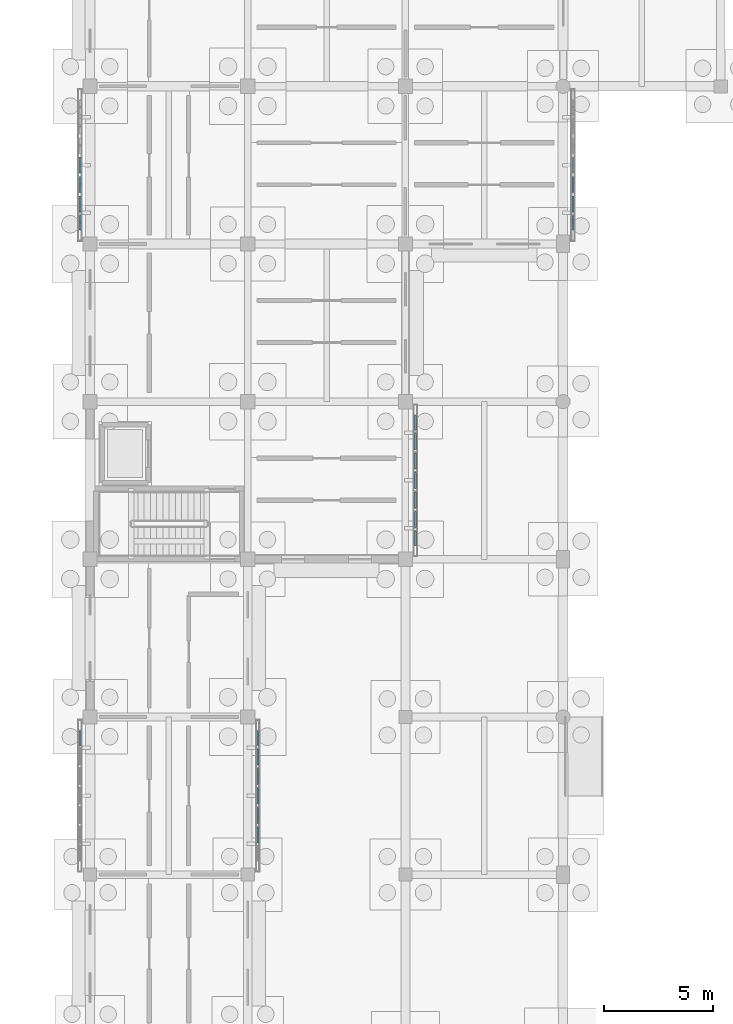
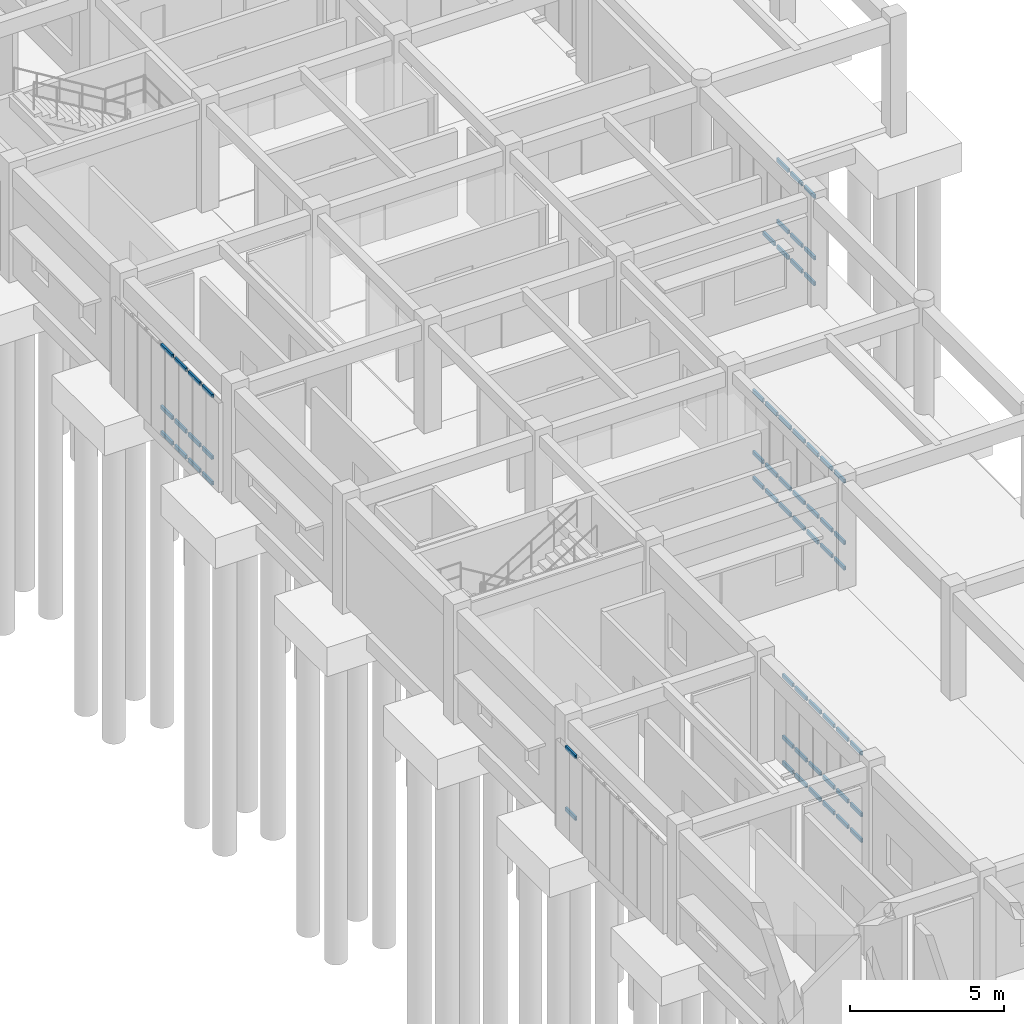
# One storey, part 40 of 111: 63 members, 5 elements without a shape of their own.
"""IFC4 building model written with IfcOpenShell, lengths in metres."""

from ifc_helpers import new_model, si_unit, direction, frame, origin, origin_2d, place, context, subcontext, project, spatial, hollow_rectangle, extrude, material, material_profile, profile_set, type_object, element, aggregate, save


model = new_model("IFC4")

# Units and contexts
model_context = context("Model", 3, precision=1e-05, world=origin(), true_north=direction((0.0, 1.0)))
body_context = subcontext(model_context, "Body", "Model", "MODEL_VIEW")
ifc_project = project(units=[si_unit("LENGTHUNIT", "METRE"), si_unit("AREAUNIT", "SQUARE_METRE"), si_unit("VOLUMEUNIT", "CUBIC_METRE"), si_unit("PLANEANGLEUNIT", "RADIAN"), si_unit("MASSUNIT", "GRAM", prefix="KILO")], contexts=[model_context])

# Site, building, storey
site_placement = place(None, origin())
site = spatial("IfcSite", under=ifc_project, at=site_placement, CompositionType="ELEMENT")
building_placement = place(site_placement, origin())
building = spatial("IfcBuilding", under=site, at=building_placement, Name="Aldebral Square Health Centre", CompositionType="ELEMENT")
storey_placement = place(building_placement, origin())
storey = spatial("IfcBuildingStorey", under=building, at=storey_placement, Name="L00", CompositionType="ELEMENT", Elevation=0.0)

# Curtain wall, members
ifc_material_1 = material(Name="Aluminium and low-E solar glass", Category="aluminium")
curtain_wall_type = type_object("IfcCurtainWallType", Name="CW-FIN-SYS", PredefinedType="USERDEFINED", material=ifc_material_1)
curtain_wall_1_placement = place(storey_placement, origin())
curtain_wall_1 = element("IfcCurtainWall", 1, at=curtain_wall_1_placement, inside=storey, type_object=curtain_wall_type, Name="L00 V6 finned curtain wall L00-V6-00-02-W", ObjectType="SOLAR_CURTAIN_WALL", PredefinedType="USERDEFINED")
ifc_material_2 = material(Name="Anodised aluminium transom", Category="aluminium")
ifc_material_profile = material_profile(ifc_material_2, hollow_rectangle(XDim=0.074951171875, YDim=0.14990234375, WallThickness=0.00390625, at=origin_2d()), Name="CWT 75x150x4")
ifc_profile_set = profile_set([ifc_material_profile], Name="Anodised aluminium transom")
member_type = type_object("IfcMemberType", Name="CWT-STD", PredefinedType="USERDEFINED", material=ifc_profile_set)
member_1_placement = place(storey_placement, frame((-0.4599609375, 20.9599609375, 1.050048828125), z_axis=(0.0, -1.0, 0.0), x_axis=(1.0, 0.0, 0.0)))
member_1 = element("IfcMember", 2, at=member_1_placement, type_object=member_type, Name="CW1 transom 1.2", ObjectType="TRANSOM", PredefinedType="USERDEFINED", context=body_context, shape_type="SweptSolid", body=[
    extrude(hollow_rectangle(XDim=0.074951171875, YDim=0.14990234375, WallThickness=0.00390625, at=origin_2d()), origin(), (0.0, 0.0, 1.0), 0.6513671875),
])
member_2_placement = place(storey_placement, frame((-0.4599609375, 20.9599609375, 3.482421875), z_axis=(0.0, -1.0, 0.0), x_axis=(1.0, 0.0, 0.0)))
member_2 = element("IfcMember", 3, at=member_2_placement, type_object=member_type, Name="CW1 transom 1.3", ObjectType="TRANSOM", PredefinedType="USERDEFINED", context=body_context, shape_type="SweptSolid", body=[
    extrude(hollow_rectangle(XDim=0.074951171875, YDim=0.14990234375, WallThickness=0.00390625, at=origin_2d()), origin(), (0.0, 0.0, 1.0), 0.6513671875),
])
aggregate(curtain_wall_1, [member_1, member_2])

curtain_wall_2_placement = place(storey_placement, origin())
curtain_wall_2 = element("IfcCurtainWall", 4, at=curtain_wall_2_placement, inside=storey, type_object=curtain_wall_type, Name="L00 V6 finned curtain wall L00-V6-00-02-E", ObjectType="SOLAR_CURTAIN_WALL", PredefinedType="USERDEFINED")
member_3_placement = place(storey_placement, frame((7.659912109375, 15.851318359375, 0.03759765625), z_axis=(0.0, 1.0, 0.0), x_axis=(-1.0, 0.0, 0.0)))
member_3 = element("IfcMember", 5, at=member_3_placement, type_object=member_type, Name="CW1 transom 2.1", ObjectType="TRANSOM", PredefinedType="USERDEFINED", context=body_context, shape_type="SweptSolid", body=[
    extrude(hollow_rectangle(XDim=0.074951171875, YDim=0.14990234375, WallThickness=0.00390625, at=origin_2d()), origin(), (0.0, 0.0, 1.0), 0.7314453125),
])
member_4_placement = place(storey_placement, frame((7.659912109375, 15.851318359375, 1.050048828125), z_axis=(0.0, 1.0, 0.0), x_axis=(-1.0, 0.0, 0.0)))
member_4 = element("IfcMember", 6, at=member_4_placement, type_object=member_type, Name="CW1 transom 2.2", ObjectType="TRANSOM", PredefinedType="USERDEFINED", context=body_context, shape_type="SweptSolid", body=[
    extrude(hollow_rectangle(XDim=0.074951171875, YDim=0.14990234375, WallThickness=0.00390625, at=origin_2d()), origin(), (0.0, 0.0, 1.0), 0.7314453125),
])
member_5_placement = place(storey_placement, frame((7.659912109375, 15.851318359375, 3.482421875), z_axis=(0.0, 1.0, 0.0), x_axis=(-1.0, 0.0, 0.0)))
member_5 = element("IfcMember", 7, at=member_5_placement, type_object=member_type, Name="CW1 transom 2.3", ObjectType="TRANSOM", PredefinedType="USERDEFINED", context=body_context, shape_type="SweptSolid", body=[
    extrude(hollow_rectangle(XDim=0.074951171875, YDim=0.14990234375, WallThickness=0.00390625, at=origin_2d()), origin(), (0.0, 0.0, 1.0), 0.7314453125),
])
member_6_placement = place(storey_placement, frame((7.659912109375, 16.742919921875, 0.03759765625), z_axis=(0.0, 1.0, 0.0), x_axis=(-1.0, 0.0, 0.0)))
member_6 = element("IfcMember", 8, at=member_6_placement, type_object=member_type, Name="CW1 transom 3.1", ObjectType="TRANSOM", PredefinedType="USERDEFINED", context=body_context, shape_type="SweptSolid", body=[
    extrude(hollow_rectangle(XDim=0.074951171875, YDim=0.14990234375, WallThickness=0.00390625, at=origin_2d()), origin(), (0.0, 0.0, 1.0), 0.7314453125),
])
member_7_placement = place(storey_placement, frame((7.659912109375, 16.742919921875, 1.050048828125), z_axis=(0.0, 1.0, 0.0), x_axis=(-1.0, 0.0, 0.0)))
member_7 = element("IfcMember", 9, at=member_7_placement, type_object=member_type, Name="CW1 transom 3.2", ObjectType="TRANSOM", PredefinedType="USERDEFINED", context=body_context, shape_type="SweptSolid", body=[
    extrude(hollow_rectangle(XDim=0.074951171875, YDim=0.14990234375, WallThickness=0.00390625, at=origin_2d()), origin(), (0.0, 0.0, 1.0), 0.7314453125),
])
member_8_placement = place(storey_placement, frame((7.659912109375, 16.742919921875, 3.482421875), z_axis=(0.0, 1.0, 0.0), x_axis=(-1.0, 0.0, 0.0)))
member_8 = element("IfcMember", 10, at=member_8_placement, type_object=member_type, Name="CW1 transom 3.3", ObjectType="TRANSOM", PredefinedType="USERDEFINED", context=body_context, shape_type="SweptSolid", body=[
    extrude(hollow_rectangle(XDim=0.074951171875, YDim=0.14990234375, WallThickness=0.00390625, at=origin_2d()), origin(), (0.0, 0.0, 1.0), 0.7314453125),
])
member_9_placement = place(storey_placement, frame((7.659912109375, 17.63427734375, 0.03759765625), z_axis=(0.0, 1.0, 0.0), x_axis=(-1.0, 0.0, 0.0)))
member_9 = element("IfcMember", 11, at=member_9_placement, type_object=member_type, Name="CW1 transom 4.1", ObjectType="TRANSOM", PredefinedType="USERDEFINED", context=body_context, shape_type="SweptSolid", body=[
    extrude(hollow_rectangle(XDim=0.074951171875, YDim=0.14990234375, WallThickness=0.00390625, at=origin_2d()), origin(), (0.0, 0.0, 1.0), 0.7314453125),
])
member_10_placement = place(storey_placement, frame((7.659912109375, 17.63427734375, 1.050048828125), z_axis=(0.0, 1.0, 0.0), x_axis=(-1.0, 0.0, 0.0)))
member_10 = element("IfcMember", 12, at=member_10_placement, type_object=member_type, Name="CW1 transom 4.2", ObjectType="TRANSOM", PredefinedType="USERDEFINED", context=body_context, shape_type="SweptSolid", body=[
    extrude(hollow_rectangle(XDim=0.074951171875, YDim=0.14990234375, WallThickness=0.00390625, at=origin_2d()), origin(), (0.0, 0.0, 1.0), 0.7314453125),
])
member_11_placement = place(storey_placement, frame((7.659912109375, 17.63427734375, 3.482421875), z_axis=(0.0, 1.0, 0.0), x_axis=(-1.0, 0.0, 0.0)))
member_11 = element("IfcMember", 13, at=member_11_placement, type_object=member_type, Name="CW1 transom 4.3", ObjectType="TRANSOM", PredefinedType="USERDEFINED", context=body_context, shape_type="SweptSolid", body=[
    extrude(hollow_rectangle(XDim=0.074951171875, YDim=0.14990234375, WallThickness=0.00390625, at=origin_2d()), origin(), (0.0, 0.0, 1.0), 0.7314453125),
])
member_12_placement = place(storey_placement, frame((7.659912109375, 18.525634765625, 0.03759765625), z_axis=(0.0, 1.0, 0.0), x_axis=(-1.0, 0.0, 0.0)))
member_12 = element("IfcMember", 14, at=member_12_placement, type_object=member_type, Name="CW1 transom 5.1", ObjectType="TRANSOM", PredefinedType="USERDEFINED", context=body_context, shape_type="SweptSolid", body=[
    extrude(hollow_rectangle(XDim=0.074951171875, YDim=0.14990234375, WallThickness=0.00390625, at=origin_2d()), origin(), (0.0, 0.0, 1.0), 0.7314453125),
])
member_13_placement = place(storey_placement, frame((7.659912109375, 18.525634765625, 1.050048828125), z_axis=(0.0, 1.0, 0.0), x_axis=(-1.0, 0.0, 0.0)))
member_13 = element("IfcMember", 15, at=member_13_placement, type_object=member_type, Name="CW1 transom 5.2", ObjectType="TRANSOM", PredefinedType="USERDEFINED", context=body_context, shape_type="SweptSolid", body=[
    extrude(hollow_rectangle(XDim=0.074951171875, YDim=0.14990234375, WallThickness=0.00390625, at=origin_2d()), origin(), (0.0, 0.0, 1.0), 0.7314453125),
])
member_14_placement = place(storey_placement, frame((7.659912109375, 18.525634765625, 3.482421875), z_axis=(0.0, 1.0, 0.0), x_axis=(-1.0, 0.0, 0.0)))
member_14 = element("IfcMember", 16, at=member_14_placement, type_object=member_type, Name="CW1 transom 5.3", ObjectType="TRANSOM", PredefinedType="USERDEFINED", context=body_context, shape_type="SweptSolid", body=[
    extrude(hollow_rectangle(XDim=0.074951171875, YDim=0.14990234375, WallThickness=0.00390625, at=origin_2d()), origin(), (0.0, 0.0, 1.0), 0.7314453125),
])
member_15_placement = place(storey_placement, frame((7.659912109375, 19.417236328125, 0.03759765625), z_axis=(0.0, 1.0, 0.0), x_axis=(-1.0, 0.0, 0.0)))
member_15 = element("IfcMember", 17, at=member_15_placement, type_object=member_type, Name="CW1 transom 6.1", ObjectType="TRANSOM", PredefinedType="USERDEFINED", context=body_context, shape_type="SweptSolid", body=[
    extrude(hollow_rectangle(XDim=0.074951171875, YDim=0.14990234375, WallThickness=0.00390625, at=origin_2d()), origin(), (0.0, 0.0, 1.0), 0.7314453125),
])
member_16_placement = place(storey_placement, frame((7.659912109375, 19.417236328125, 1.050048828125), z_axis=(0.0, 1.0, 0.0), x_axis=(-1.0, 0.0, 0.0)))
member_16 = element("IfcMember", 18, at=member_16_placement, type_object=member_type, Name="CW1 transom 6.2", ObjectType="TRANSOM", PredefinedType="USERDEFINED", context=body_context, shape_type="SweptSolid", body=[
    extrude(hollow_rectangle(XDim=0.074951171875, YDim=0.14990234375, WallThickness=0.00390625, at=origin_2d()), origin(), (0.0, 0.0, 1.0), 0.7314453125),
])
member_17_placement = place(storey_placement, frame((7.659912109375, 19.417236328125, 3.482421875), z_axis=(0.0, 1.0, 0.0), x_axis=(-1.0, 0.0, 0.0)))
member_17 = element("IfcMember", 19, at=member_17_placement, type_object=member_type, Name="CW1 transom 6.3", ObjectType="TRANSOM", PredefinedType="USERDEFINED", context=body_context, shape_type="SweptSolid", body=[
    extrude(hollow_rectangle(XDim=0.074951171875, YDim=0.14990234375, WallThickness=0.00390625, at=origin_2d()), origin(), (0.0, 0.0, 1.0), 0.7314453125),
])
member_18_placement = place(storey_placement, frame((7.659912109375, 20.30859375, 0.03759765625), z_axis=(0.0, 1.0, 0.0), x_axis=(-1.0, 0.0, 0.0)))
member_18 = element("IfcMember", 20, at=member_18_placement, type_object=member_type, Name="CW1 transom 7.1", ObjectType="TRANSOM", PredefinedType="USERDEFINED", context=body_context, shape_type="SweptSolid", body=[
    extrude(hollow_rectangle(XDim=0.074951171875, YDim=0.14990234375, WallThickness=0.00390625, at=origin_2d()), origin(), (0.0, 0.0, 1.0), 0.6513671875),
])
member_19_placement = place(storey_placement, frame((7.659912109375, 20.30859375, 1.050048828125), z_axis=(0.0, 1.0, 0.0), x_axis=(-1.0, 0.0, 0.0)))
member_19 = element("IfcMember", 21, at=member_19_placement, type_object=member_type, Name="CW1 transom 7.2", ObjectType="TRANSOM", PredefinedType="USERDEFINED", context=body_context, shape_type="SweptSolid", body=[
    extrude(hollow_rectangle(XDim=0.074951171875, YDim=0.14990234375, WallThickness=0.00390625, at=origin_2d()), origin(), (0.0, 0.0, 1.0), 0.6513671875),
])
member_20_placement = place(storey_placement, frame((7.659912109375, 20.30859375, 3.482421875), z_axis=(0.0, 1.0, 0.0), x_axis=(-1.0, 0.0, 0.0)))
member_20 = element("IfcMember", 22, at=member_20_placement, type_object=member_type, Name="CW1 transom 7.3", ObjectType="TRANSOM", PredefinedType="USERDEFINED", context=body_context, shape_type="SweptSolid", body=[
    extrude(hollow_rectangle(XDim=0.074951171875, YDim=0.14990234375, WallThickness=0.00390625, at=origin_2d()), origin(), (0.0, 0.0, 1.0), 0.6513671875),
])
aggregate(curtain_wall_2, [member_3, member_4, member_5, member_6, member_7, member_8, member_9, member_10, member_11, member_12, member_13, member_14, member_15, member_16, member_17, member_18, member_19, member_20])

curtain_wall_3_placement = place(storey_placement, origin())
curtain_wall_3 = element("IfcCurtainWall", 23, at=curtain_wall_3_placement, inside=storey, type_object=curtain_wall_type, Name="L00 V6 finned curtain wall L00-V6-00-06-W", ObjectType="SOLAR_CURTAIN_WALL", PredefinedType="USERDEFINED")
member_21_placement = place(storey_placement, frame((-0.4599609375, 47.165771484375, 0.03759765625), z_axis=(0.0, -1.0, 0.0), x_axis=(1.0, 0.0, 0.0)))
member_21 = element("IfcMember", 24, at=member_21_placement, type_object=member_type, Name="CW1 transom 4.1", ObjectType="TRANSOM", PredefinedType="USERDEFINED", context=body_context, shape_type="SweptSolid", body=[
    extrude(hollow_rectangle(XDim=0.074951171875, YDim=0.14990234375, WallThickness=0.00390625, at=origin_2d()), origin(), (0.0, 0.0, 1.0), 0.7314453125),
])
member_22_placement = place(storey_placement, frame((-0.4599609375, 47.165771484375, 1.050048828125), z_axis=(0.0, -1.0, 0.0), x_axis=(1.0, 0.0, 0.0)))
member_22 = element("IfcMember", 25, at=member_22_placement, type_object=member_type, Name="CW1 transom 4.2", ObjectType="TRANSOM", PredefinedType="USERDEFINED", context=body_context, shape_type="SweptSolid", body=[
    extrude(hollow_rectangle(XDim=0.074951171875, YDim=0.14990234375, WallThickness=0.00390625, at=origin_2d()), origin(), (0.0, 0.0, 1.0), 0.7314453125),
])
member_23_placement = place(storey_placement, frame((-0.4599609375, 47.165771484375, 3.482421875), z_axis=(0.0, -1.0, 0.0), x_axis=(1.0, 0.0, 0.0)))
member_23 = element("IfcMember", 26, at=member_23_placement, type_object=member_type, Name="CW1 transom 4.3", ObjectType="TRANSOM", PredefinedType="USERDEFINED", context=body_context, shape_type="SweptSolid", body=[
    extrude(hollow_rectangle(XDim=0.074951171875, YDim=0.14990234375, WallThickness=0.00390625, at=origin_2d()), origin(), (0.0, 0.0, 1.0), 0.7314453125),
])
member_24_placement = place(storey_placement, frame((-0.4599609375, 46.274169921875, 0.03759765625), z_axis=(0.0, -1.0, 0.0), x_axis=(1.0, 0.0, 0.0)))
member_24 = element("IfcMember", 27, at=member_24_placement, type_object=member_type, Name="CW1 transom 5.1", ObjectType="TRANSOM", PredefinedType="USERDEFINED", context=body_context, shape_type="SweptSolid", body=[
    extrude(hollow_rectangle(XDim=0.074951171875, YDim=0.14990234375, WallThickness=0.00390625, at=origin_2d()), origin(), (0.0, 0.0, 1.0), 0.731201171875),
])
member_25_placement = place(storey_placement, frame((-0.4599609375, 46.274169921875, 1.050048828125), z_axis=(0.0, -1.0, 0.0), x_axis=(1.0, 0.0, 0.0)))
member_25 = element("IfcMember", 28, at=member_25_placement, type_object=member_type, Name="CW1 transom 5.2", ObjectType="TRANSOM", PredefinedType="USERDEFINED", context=body_context, shape_type="SweptSolid", body=[
    extrude(hollow_rectangle(XDim=0.074951171875, YDim=0.14990234375, WallThickness=0.00390625, at=origin_2d()), origin(), (0.0, 0.0, 1.0), 0.731201171875),
])
member_26_placement = place(storey_placement, frame((-0.4599609375, 46.274169921875, 3.482421875), z_axis=(0.0, -1.0, 0.0), x_axis=(1.0, 0.0, 0.0)))
member_26 = element("IfcMember", 29, at=member_26_placement, type_object=member_type, Name="CW1 transom 5.3", ObjectType="TRANSOM", PredefinedType="USERDEFINED", context=body_context, shape_type="SweptSolid", body=[
    extrude(hollow_rectangle(XDim=0.074951171875, YDim=0.14990234375, WallThickness=0.00390625, at=origin_2d()), origin(), (0.0, 0.0, 1.0), 0.731201171875),
])
member_27_placement = place(storey_placement, frame((-0.4599609375, 45.3828125, 0.03759765625), z_axis=(0.0, -1.0, 0.0), x_axis=(1.0, 0.0, 0.0)))
member_27 = element("IfcMember", 30, at=member_27_placement, type_object=member_type, Name="CW1 transom 6.1", ObjectType="TRANSOM", PredefinedType="USERDEFINED", context=body_context, shape_type="SweptSolid", body=[
    extrude(hollow_rectangle(XDim=0.074951171875, YDim=0.14990234375, WallThickness=0.00390625, at=origin_2d()), origin(), (0.0, 0.0, 1.0), 0.7314453125),
])
member_28_placement = place(storey_placement, frame((-0.4599609375, 45.3828125, 1.050048828125), z_axis=(0.0, -1.0, 0.0), x_axis=(1.0, 0.0, 0.0)))
member_28 = element("IfcMember", 31, at=member_28_placement, type_object=member_type, Name="CW1 transom 6.2", ObjectType="TRANSOM", PredefinedType="USERDEFINED", context=body_context, shape_type="SweptSolid", body=[
    extrude(hollow_rectangle(XDim=0.074951171875, YDim=0.14990234375, WallThickness=0.00390625, at=origin_2d()), origin(), (0.0, 0.0, 1.0), 0.7314453125),
])
member_29_placement = place(storey_placement, frame((-0.4599609375, 45.3828125, 3.482421875), z_axis=(0.0, -1.0, 0.0), x_axis=(1.0, 0.0, 0.0)))
member_29 = element("IfcMember", 32, at=member_29_placement, type_object=member_type, Name="CW1 transom 6.3", ObjectType="TRANSOM", PredefinedType="USERDEFINED", context=body_context, shape_type="SweptSolid", body=[
    extrude(hollow_rectangle(XDim=0.074951171875, YDim=0.14990234375, WallThickness=0.00390625, at=origin_2d()), origin(), (0.0, 0.0, 1.0), 0.7314453125),
])
member_30_placement = place(storey_placement, frame((-0.4599609375, 44.491455078125, 0.03759765625), z_axis=(0.0, -1.0, 0.0), x_axis=(1.0, 0.0, 0.0)))
member_30 = element("IfcMember", 33, at=member_30_placement, type_object=member_type, Name="CW1 transom 7.1", ObjectType="TRANSOM", PredefinedType="USERDEFINED", context=body_context, shape_type="SweptSolid", body=[
    extrude(hollow_rectangle(XDim=0.074951171875, YDim=0.14990234375, WallThickness=0.00390625, at=origin_2d()), origin(), (0.0, 0.0, 1.0), 0.6513671875),
])
member_31_placement = place(storey_placement, frame((-0.4599609375, 44.491455078125, 1.050048828125), z_axis=(0.0, -1.0, 0.0), x_axis=(1.0, 0.0, 0.0)))
member_31 = element("IfcMember", 34, at=member_31_placement, type_object=member_type, Name="CW1 transom 7.2", ObjectType="TRANSOM", PredefinedType="USERDEFINED", context=body_context, shape_type="SweptSolid", body=[
    extrude(hollow_rectangle(XDim=0.074951171875, YDim=0.14990234375, WallThickness=0.00390625, at=origin_2d()), origin(), (0.0, 0.0, 1.0), 0.6513671875),
])
member_32_placement = place(storey_placement, frame((-0.4599609375, 44.491455078125, 3.482421875), z_axis=(0.0, -1.0, 0.0), x_axis=(1.0, 0.0, 0.0)))
member_32 = element("IfcMember", 35, at=member_32_placement, type_object=member_type, Name="CW1 transom 7.3", ObjectType="TRANSOM", PredefinedType="USERDEFINED", context=body_context, shape_type="SweptSolid", body=[
    extrude(hollow_rectangle(XDim=0.074951171875, YDim=0.14990234375, WallThickness=0.00390625, at=origin_2d()), origin(), (0.0, 0.0, 1.0), 0.6513671875),
])
aggregate(curtain_wall_3, [member_21, member_22, member_23, member_24, member_25, member_26, member_27, member_28, member_29, member_30, member_31, member_32])

curtain_wall_4_placement = place(storey_placement, origin())
curtain_wall_4 = element("IfcCurtainWall", 36, at=curtain_wall_4_placement, inside=storey, type_object=curtain_wall_type, Name="L00 V6 finned curtain wall L00-V6-01-04-E", ObjectType="SOLAR_CURTAIN_WALL", PredefinedType="USERDEFINED")
member_33_placement = place(storey_placement, frame((14.860107421875, 29.43994140625, 0.03759765625), z_axis=(0.0, 1.0, 0.0), x_axis=(-1.0, 0.0, 0.0)))
member_33 = element("IfcMember", 37, at=member_33_placement, type_object=member_type, Name="CW1 transom 1.1", ObjectType="TRANSOM", PredefinedType="USERDEFINED", context=body_context, shape_type="SweptSolid", body=[
    extrude(hollow_rectangle(XDim=0.074951171875, YDim=0.14990234375, WallThickness=0.00390625, at=origin_2d()), origin(), (0.0, 0.0, 1.0), 0.6513671875),
])
member_34_placement = place(storey_placement, frame((14.860107421875, 29.43994140625, 1.050048828125), z_axis=(0.0, 1.0, 0.0), x_axis=(-1.0, 0.0, 0.0)))
member_34 = element("IfcMember", 38, at=member_34_placement, type_object=member_type, Name="CW1 transom 1.2", ObjectType="TRANSOM", PredefinedType="USERDEFINED", context=body_context, shape_type="SweptSolid", body=[
    extrude(hollow_rectangle(XDim=0.074951171875, YDim=0.14990234375, WallThickness=0.00390625, at=origin_2d()), origin(), (0.0, 0.0, 1.0), 0.6513671875),
])
member_35_placement = place(storey_placement, frame((14.860107421875, 29.43994140625, 3.482421875), z_axis=(0.0, 1.0, 0.0), x_axis=(-1.0, 0.0, 0.0)))
member_35 = element("IfcMember", 39, at=member_35_placement, type_object=member_type, Name="CW1 transom 1.3", ObjectType="TRANSOM", PredefinedType="USERDEFINED", context=body_context, shape_type="SweptSolid", body=[
    extrude(hollow_rectangle(XDim=0.074951171875, YDim=0.14990234375, WallThickness=0.00390625, at=origin_2d()), origin(), (0.0, 0.0, 1.0), 0.6513671875),
])
member_36_placement = place(storey_placement, frame((14.860107421875, 30.25146484375, 0.03759765625), z_axis=(0.0, 1.0, 0.0), x_axis=(-1.0, 0.0, 0.0)))
member_36 = element("IfcMember", 40, at=member_36_placement, type_object=member_type, Name="CW1 transom 2.1", ObjectType="TRANSOM", PredefinedType="USERDEFINED", context=body_context, shape_type="SweptSolid", body=[
    extrude(hollow_rectangle(XDim=0.074951171875, YDim=0.14990234375, WallThickness=0.00390625, at=origin_2d()), origin(), (0.0, 0.0, 1.0), 0.7314453125),
])
member_37_placement = place(storey_placement, frame((14.860107421875, 30.25146484375, 1.050048828125), z_axis=(0.0, 1.0, 0.0), x_axis=(-1.0, 0.0, 0.0)))
member_37 = element("IfcMember", 41, at=member_37_placement, type_object=member_type, Name="CW1 transom 2.2", ObjectType="TRANSOM", PredefinedType="USERDEFINED", context=body_context, shape_type="SweptSolid", body=[
    extrude(hollow_rectangle(XDim=0.074951171875, YDim=0.14990234375, WallThickness=0.00390625, at=origin_2d()), origin(), (0.0, 0.0, 1.0), 0.7314453125),
])
member_38_placement = place(storey_placement, frame((14.860107421875, 30.25146484375, 3.482421875), z_axis=(0.0, 1.0, 0.0), x_axis=(-1.0, 0.0, 0.0)))
member_38 = element("IfcMember", 42, at=member_38_placement, type_object=member_type, Name="CW1 transom 2.3", ObjectType="TRANSOM", PredefinedType="USERDEFINED", context=body_context, shape_type="SweptSolid", body=[
    extrude(hollow_rectangle(XDim=0.074951171875, YDim=0.14990234375, WallThickness=0.00390625, at=origin_2d()), origin(), (0.0, 0.0, 1.0), 0.7314453125),
])
member_39_placement = place(storey_placement, frame((14.860107421875, 31.142822265625, 0.03759765625), z_axis=(0.0, 1.0, 0.0), x_axis=(-1.0, 0.0, 0.0)))
member_39 = element("IfcMember", 43, at=member_39_placement, type_object=member_type, Name="CW1 transom 3.1", ObjectType="TRANSOM", PredefinedType="USERDEFINED", context=body_context, shape_type="SweptSolid", body=[
    extrude(hollow_rectangle(XDim=0.074951171875, YDim=0.14990234375, WallThickness=0.00390625, at=origin_2d()), origin(), (0.0, 0.0, 1.0), 0.7314453125),
])
member_40_placement = place(storey_placement, frame((14.860107421875, 31.142822265625, 1.050048828125), z_axis=(0.0, 1.0, 0.0), x_axis=(-1.0, 0.0, 0.0)))
member_40 = element("IfcMember", 44, at=member_40_placement, type_object=member_type, Name="CW1 transom 3.2", ObjectType="TRANSOM", PredefinedType="USERDEFINED", context=body_context, shape_type="SweptSolid", body=[
    extrude(hollow_rectangle(XDim=0.074951171875, YDim=0.14990234375, WallThickness=0.00390625, at=origin_2d()), origin(), (0.0, 0.0, 1.0), 0.7314453125),
])
member_41_placement = place(storey_placement, frame((14.860107421875, 31.142822265625, 3.482421875), z_axis=(0.0, 1.0, 0.0), x_axis=(-1.0, 0.0, 0.0)))
member_41 = element("IfcMember", 45, at=member_41_placement, type_object=member_type, Name="CW1 transom 3.3", ObjectType="TRANSOM", PredefinedType="USERDEFINED", context=body_context, shape_type="SweptSolid", body=[
    extrude(hollow_rectangle(XDim=0.074951171875, YDim=0.14990234375, WallThickness=0.00390625, at=origin_2d()), origin(), (0.0, 0.0, 1.0), 0.7314453125),
])
member_42_placement = place(storey_placement, frame((14.860107421875, 32.0341796875, 0.03759765625), z_axis=(0.0, 1.0, 0.0), x_axis=(-1.0, 0.0, 0.0)))
member_42 = element("IfcMember", 46, at=member_42_placement, type_object=member_type, Name="CW1 transom 4.1", ObjectType="TRANSOM", PredefinedType="USERDEFINED", context=body_context, shape_type="SweptSolid", body=[
    extrude(hollow_rectangle(XDim=0.074951171875, YDim=0.14990234375, WallThickness=0.00390625, at=origin_2d()), origin(), (0.0, 0.0, 1.0), 0.7314453125),
])
member_43_placement = place(storey_placement, frame((14.860107421875, 32.0341796875, 1.050048828125), z_axis=(0.0, 1.0, 0.0), x_axis=(-1.0, 0.0, 0.0)))
member_43 = element("IfcMember", 47, at=member_43_placement, type_object=member_type, Name="CW1 transom 4.2", ObjectType="TRANSOM", PredefinedType="USERDEFINED", context=body_context, shape_type="SweptSolid", body=[
    extrude(hollow_rectangle(XDim=0.074951171875, YDim=0.14990234375, WallThickness=0.00390625, at=origin_2d()), origin(), (0.0, 0.0, 1.0), 0.7314453125),
])
member_44_placement = place(storey_placement, frame((14.860107421875, 32.0341796875, 3.482421875), z_axis=(0.0, 1.0, 0.0), x_axis=(-1.0, 0.0, 0.0)))
member_44 = element("IfcMember", 48, at=member_44_placement, type_object=member_type, Name="CW1 transom 4.3", ObjectType="TRANSOM", PredefinedType="USERDEFINED", context=body_context, shape_type="SweptSolid", body=[
    extrude(hollow_rectangle(XDim=0.074951171875, YDim=0.14990234375, WallThickness=0.00390625, at=origin_2d()), origin(), (0.0, 0.0, 1.0), 0.7314453125),
])
member_45_placement = place(storey_placement, frame((14.860107421875, 32.92578125, 0.03759765625), z_axis=(0.0, 1.0, 0.0), x_axis=(-1.0, 0.0, 0.0)))
member_45 = element("IfcMember", 49, at=member_45_placement, type_object=member_type, Name="CW1 transom 5.1", ObjectType="TRANSOM", PredefinedType="USERDEFINED", context=body_context, shape_type="SweptSolid", body=[
    extrude(hollow_rectangle(XDim=0.074951171875, YDim=0.14990234375, WallThickness=0.00390625, at=origin_2d()), origin(), (0.0, 0.0, 1.0), 0.7314453125),
])
member_46_placement = place(storey_placement, frame((14.860107421875, 32.92578125, 1.050048828125), z_axis=(0.0, 1.0, 0.0), x_axis=(-1.0, 0.0, 0.0)))
member_46 = element("IfcMember", 50, at=member_46_placement, type_object=member_type, Name="CW1 transom 5.2", ObjectType="TRANSOM", PredefinedType="USERDEFINED", context=body_context, shape_type="SweptSolid", body=[
    extrude(hollow_rectangle(XDim=0.074951171875, YDim=0.14990234375, WallThickness=0.00390625, at=origin_2d()), origin(), (0.0, 0.0, 1.0), 0.7314453125),
])
member_47_placement = place(storey_placement, frame((14.860107421875, 32.92578125, 3.482421875), z_axis=(0.0, 1.0, 0.0), x_axis=(-1.0, 0.0, 0.0)))
member_47 = element("IfcMember", 51, at=member_47_placement, type_object=member_type, Name="CW1 transom 5.3", ObjectType="TRANSOM", PredefinedType="USERDEFINED", context=body_context, shape_type="SweptSolid", body=[
    extrude(hollow_rectangle(XDim=0.074951171875, YDim=0.14990234375, WallThickness=0.00390625, at=origin_2d()), origin(), (0.0, 0.0, 1.0), 0.7314453125),
])
member_48_placement = place(storey_placement, frame((14.860107421875, 33.817138671875, 0.03759765625), z_axis=(0.0, 1.0, 0.0), x_axis=(-1.0, 0.0, 0.0)))
member_48 = element("IfcMember", 52, at=member_48_placement, type_object=member_type, Name="CW1 transom 6.1", ObjectType="TRANSOM", PredefinedType="USERDEFINED", context=body_context, shape_type="SweptSolid", body=[
    extrude(hollow_rectangle(XDim=0.074951171875, YDim=0.14990234375, WallThickness=0.00390625, at=origin_2d()), origin(), (0.0, 0.0, 1.0), 0.7314453125),
])
member_49_placement = place(storey_placement, frame((14.860107421875, 33.817138671875, 1.050048828125), z_axis=(0.0, 1.0, 0.0), x_axis=(-1.0, 0.0, 0.0)))
member_49 = element("IfcMember", 53, at=member_49_placement, type_object=member_type, Name="CW1 transom 6.2", ObjectType="TRANSOM", PredefinedType="USERDEFINED", context=body_context, shape_type="SweptSolid", body=[
    extrude(hollow_rectangle(XDim=0.074951171875, YDim=0.14990234375, WallThickness=0.00390625, at=origin_2d()), origin(), (0.0, 0.0, 1.0), 0.7314453125),
])
member_50_placement = place(storey_placement, frame((14.860107421875, 33.817138671875, 3.482421875), z_axis=(0.0, 1.0, 0.0), x_axis=(-1.0, 0.0, 0.0)))
member_50 = element("IfcMember", 54, at=member_50_placement, type_object=member_type, Name="CW1 transom 6.3", ObjectType="TRANSOM", PredefinedType="USERDEFINED", context=body_context, shape_type="SweptSolid", body=[
    extrude(hollow_rectangle(XDim=0.074951171875, YDim=0.14990234375, WallThickness=0.00390625, at=origin_2d()), origin(), (0.0, 0.0, 1.0), 0.7314453125),
])
member_51_placement = place(storey_placement, frame((14.860107421875, 34.70849609375, 0.03759765625), z_axis=(0.0, 1.0, 0.0), x_axis=(-1.0, 0.0, 0.0)))
member_51 = element("IfcMember", 55, at=member_51_placement, type_object=member_type, Name="CW1 transom 7.1", ObjectType="TRANSOM", PredefinedType="USERDEFINED", context=body_context, shape_type="SweptSolid", body=[
    extrude(hollow_rectangle(XDim=0.074951171875, YDim=0.14990234375, WallThickness=0.00390625, at=origin_2d()), origin(), (0.0, 0.0, 1.0), 0.651611328125),
])
member_52_placement = place(storey_placement, frame((14.860107421875, 34.70849609375, 1.050048828125), z_axis=(0.0, 1.0, 0.0), x_axis=(-1.0, 0.0, 0.0)))
member_52 = element("IfcMember", 56, at=member_52_placement, type_object=member_type, Name="CW1 transom 7.2", ObjectType="TRANSOM", PredefinedType="USERDEFINED", context=body_context, shape_type="SweptSolid", body=[
    extrude(hollow_rectangle(XDim=0.074951171875, YDim=0.14990234375, WallThickness=0.00390625, at=origin_2d()), origin(), (0.0, 0.0, 1.0), 0.651611328125),
])
member_53_placement = place(storey_placement, frame((14.860107421875, 34.70849609375, 3.482421875), z_axis=(0.0, 1.0, 0.0), x_axis=(-1.0, 0.0, 0.0)))
member_53 = element("IfcMember", 57, at=member_53_placement, type_object=member_type, Name="CW1 transom 7.3", ObjectType="TRANSOM", PredefinedType="USERDEFINED", context=body_context, shape_type="SweptSolid", body=[
    extrude(hollow_rectangle(XDim=0.074951171875, YDim=0.14990234375, WallThickness=0.00390625, at=origin_2d()), origin(), (0.0, 0.0, 1.0), 0.651611328125),
])
aggregate(curtain_wall_4, [member_33, member_34, member_35, member_36, member_37, member_38, member_39, member_40, member_41, member_42, member_43, member_44, member_45, member_46, member_47, member_48, member_49, member_50, member_51, member_52, member_53])

curtain_wall_5_placement = place(storey_placement, origin())
curtain_wall_5 = element("IfcCurtainWall", 58, at=curtain_wall_5_placement, inside=storey, type_object=curtain_wall_type, Name="L00 V6 finned curtain wall L00-V6-02-06-E", ObjectType="SOLAR_CURTAIN_WALL", PredefinedType="USERDEFINED")
member_54_placement = place(storey_placement, frame((22.06005859375, 43.840087890625, 0.03759765625), z_axis=(0.0, 1.0, 0.0), x_axis=(-1.0, 0.0, 0.0)))
member_54 = element("IfcMember", 59, at=member_54_placement, type_object=member_type, Name="CW1 transom 1.1", ObjectType="TRANSOM", PredefinedType="USERDEFINED", context=body_context, shape_type="SweptSolid", body=[
    extrude(hollow_rectangle(XDim=0.074951171875, YDim=0.14990234375, WallThickness=0.00390625, at=origin_2d()), origin(), (0.0, 0.0, 1.0), 0.6513671875),
])
member_55_placement = place(storey_placement, frame((22.06005859375, 43.840087890625, 1.050048828125), z_axis=(0.0, 1.0, 0.0), x_axis=(-1.0, 0.0, 0.0)))
member_55 = element("IfcMember", 60, at=member_55_placement, type_object=member_type, Name="CW1 transom 1.2", ObjectType="TRANSOM", PredefinedType="USERDEFINED", context=body_context, shape_type="SweptSolid", body=[
    extrude(hollow_rectangle(XDim=0.074951171875, YDim=0.14990234375, WallThickness=0.00390625, at=origin_2d()), origin(), (0.0, 0.0, 1.0), 0.6513671875),
])
member_56_placement = place(storey_placement, frame((22.06005859375, 43.840087890625, 3.482421875), z_axis=(0.0, 1.0, 0.0), x_axis=(-1.0, 0.0, 0.0)))
member_56 = element("IfcMember", 61, at=member_56_placement, type_object=member_type, Name="CW1 transom 1.3", ObjectType="TRANSOM", PredefinedType="USERDEFINED", context=body_context, shape_type="SweptSolid", body=[
    extrude(hollow_rectangle(XDim=0.074951171875, YDim=0.14990234375, WallThickness=0.00390625, at=origin_2d()), origin(), (0.0, 0.0, 1.0), 0.6513671875),
])
member_57_placement = place(storey_placement, frame((22.06005859375, 44.6513671875, 0.03759765625), z_axis=(0.0, 1.0, 0.0), x_axis=(-1.0, 0.0, 0.0)))
member_57 = element("IfcMember", 62, at=member_57_placement, type_object=member_type, Name="CW1 transom 2.1", ObjectType="TRANSOM", PredefinedType="USERDEFINED", context=body_context, shape_type="SweptSolid", body=[
    extrude(hollow_rectangle(XDim=0.074951171875, YDim=0.14990234375, WallThickness=0.00390625, at=origin_2d()), origin(), (0.0, 0.0, 1.0), 0.7314453125),
])
member_58_placement = place(storey_placement, frame((22.06005859375, 44.6513671875, 1.050048828125), z_axis=(0.0, 1.0, 0.0), x_axis=(-1.0, 0.0, 0.0)))
member_58 = element("IfcMember", 63, at=member_58_placement, type_object=member_type, Name="CW1 transom 2.2", ObjectType="TRANSOM", PredefinedType="USERDEFINED", context=body_context, shape_type="SweptSolid", body=[
    extrude(hollow_rectangle(XDim=0.074951171875, YDim=0.14990234375, WallThickness=0.00390625, at=origin_2d()), origin(), (0.0, 0.0, 1.0), 0.7314453125),
])
member_59_placement = place(storey_placement, frame((22.06005859375, 44.6513671875, 3.482421875), z_axis=(0.0, 1.0, 0.0), x_axis=(-1.0, 0.0, 0.0)))
member_59 = element("IfcMember", 64, at=member_59_placement, type_object=member_type, Name="CW1 transom 2.3", ObjectType="TRANSOM", PredefinedType="USERDEFINED", context=body_context, shape_type="SweptSolid", body=[
    extrude(hollow_rectangle(XDim=0.074951171875, YDim=0.14990234375, WallThickness=0.00390625, at=origin_2d()), origin(), (0.0, 0.0, 1.0), 0.7314453125),
])
member_60_placement = place(storey_placement, frame((22.06005859375, 45.54296875, 0.03759765625), z_axis=(0.0, 1.0, 0.0), x_axis=(-1.0, 0.0, 0.0)))
member_60 = element("IfcMember", 65, at=member_60_placement, type_object=member_type, Name="CW1 transom 3.1", ObjectType="TRANSOM", PredefinedType="USERDEFINED", context=body_context, shape_type="SweptSolid", body=[
    extrude(hollow_rectangle(XDim=0.074951171875, YDim=0.14990234375, WallThickness=0.00390625, at=origin_2d()), origin(), (0.0, 0.0, 1.0), 0.731201171875),
])
member_61_placement = place(storey_placement, frame((22.06005859375, 45.54296875, 1.050048828125), z_axis=(0.0, 1.0, 0.0), x_axis=(-1.0, 0.0, 0.0)))
member_61 = element("IfcMember", 66, at=member_61_placement, type_object=member_type, Name="CW1 transom 3.2", ObjectType="TRANSOM", PredefinedType="USERDEFINED", context=body_context, shape_type="SweptSolid", body=[
    extrude(hollow_rectangle(XDim=0.074951171875, YDim=0.14990234375, WallThickness=0.00390625, at=origin_2d()), origin(), (0.0, 0.0, 1.0), 0.731201171875),
])
member_62_placement = place(storey_placement, frame((22.06005859375, 45.54296875, 3.482421875), z_axis=(0.0, 1.0, 0.0), x_axis=(-1.0, 0.0, 0.0)))
member_62 = element("IfcMember", 67, at=member_62_placement, type_object=member_type, Name="CW1 transom 3.3", ObjectType="TRANSOM", PredefinedType="USERDEFINED", context=body_context, shape_type="SweptSolid", body=[
    extrude(hollow_rectangle(XDim=0.074951171875, YDim=0.14990234375, WallThickness=0.00390625, at=origin_2d()), origin(), (0.0, 0.0, 1.0), 0.731201171875),
])
member_63_placement = place(storey_placement, frame((22.06005859375, 46.434326171875, 0.03759765625), z_axis=(0.0, 1.0, 0.0), x_axis=(-1.0, 0.0, 0.0)))
member_63 = element("IfcMember", 68, at=member_63_placement, type_object=member_type, Name="CW1 transom 4.1", ObjectType="TRANSOM", PredefinedType="USERDEFINED", context=body_context, shape_type="SweptSolid", body=[
    extrude(hollow_rectangle(XDim=0.074951171875, YDim=0.14990234375, WallThickness=0.00390625, at=origin_2d()), origin(), (0.0, 0.0, 1.0), 0.7314453125),
])
aggregate(curtain_wall_5, [member_54, member_55, member_56, member_57, member_58, member_59, member_60, member_61, member_62, member_63])

save(model, "model.ifc")
